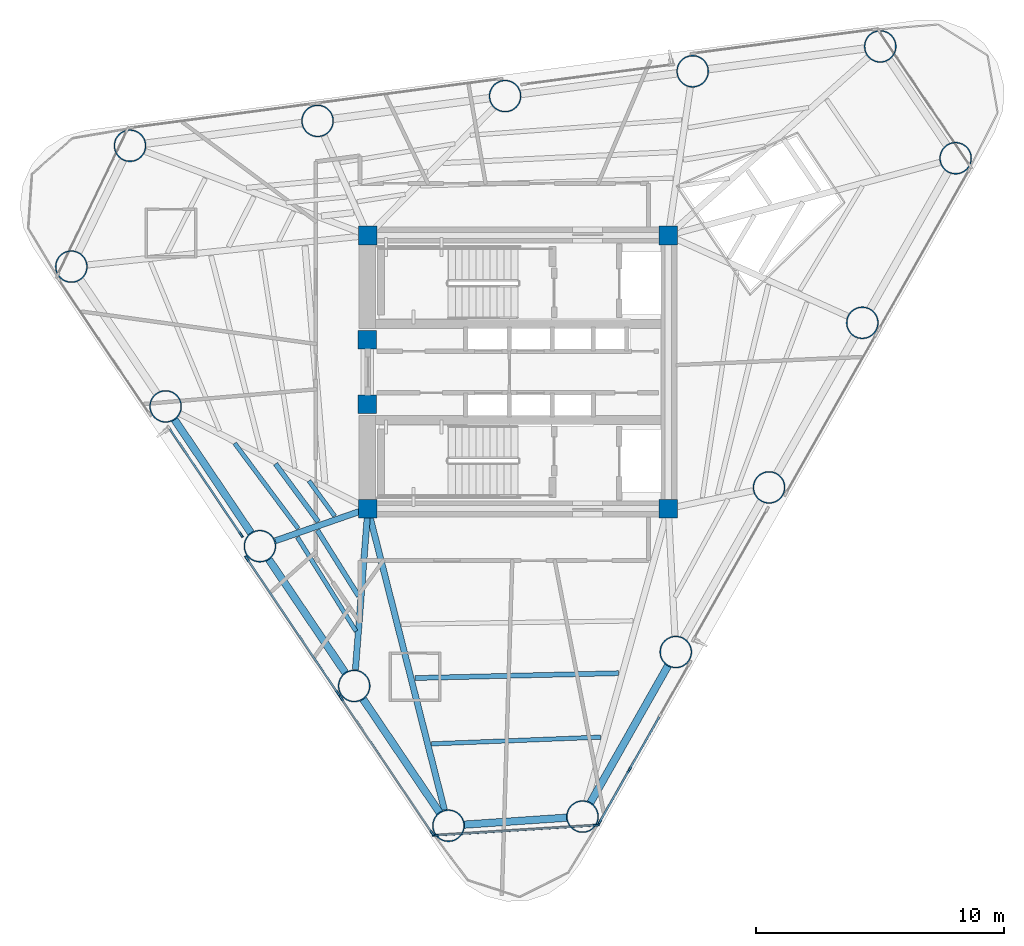
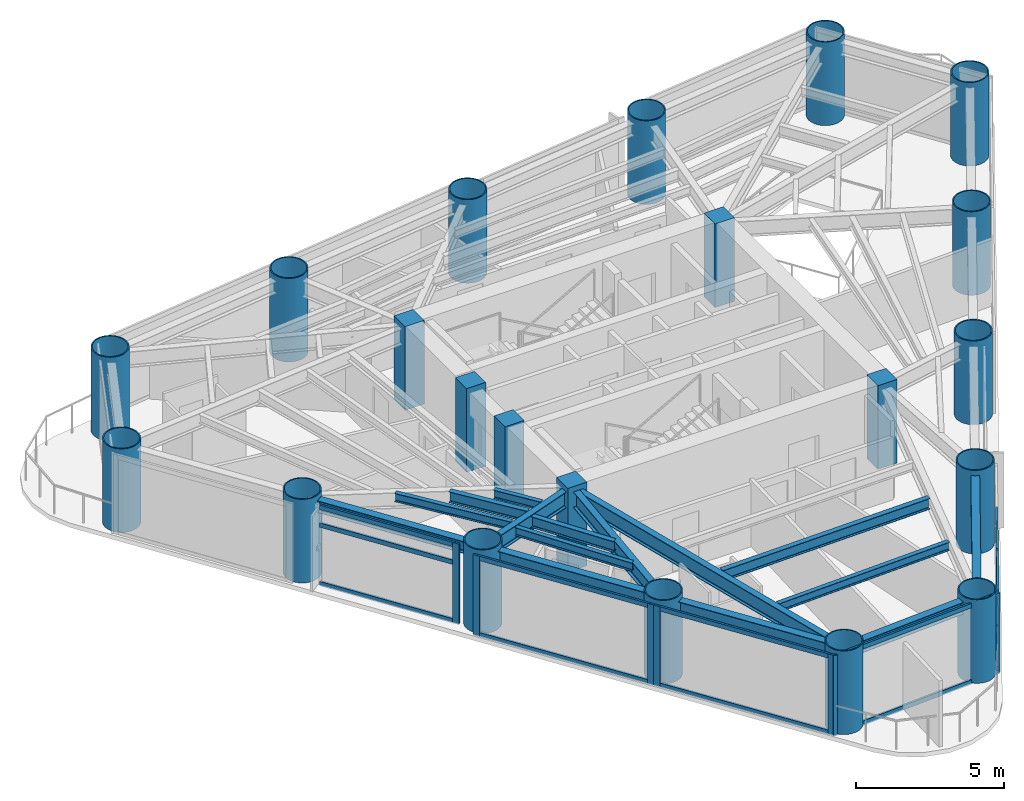
# One storey, part 1 of 10: 24 members, 21 columns, 15 beams, 5 elements without a shape of their own.
"""IFC4 building model written with IfcOpenShell, lengths in metres."""

from ifc_helpers import new_model, si_unit, direction, frame, origin, origin_2d, place, context, subcontext, project, spatial, rectangle, hollow_circle, i_section, extrude, source, transform, mapped, material, layer, layer_set, material_profile, profile_set, type_object, element, aggregate, save


model = new_model("IFC4")

# Units and contexts
model_context = context("Model", 3, precision=1e-05, world=origin(), true_north=direction((0.0, 1.0)))
body_context = subcontext(model_context, "Body", "Model", "MODEL_VIEW")
ifc_project = project(units=[si_unit("LENGTHUNIT", "METRE"), si_unit("AREAUNIT", "SQUARE_METRE"), si_unit("VOLUMEUNIT", "CUBIC_METRE"), si_unit("PLANEANGLEUNIT", "RADIAN"), si_unit("MASSUNIT", "GRAM", prefix="KILO")], contexts=[model_context])

# Site, building, storey
site_placement = place(None, origin())
site = spatial("IfcSite", under=ifc_project, at=site_placement, CompositionType="ELEMENT")
building_placement = place(site_placement, origin())
building = spatial("IfcBuilding", under=site, at=building_placement, Name="Yunling Apex Tower", CompositionType="ELEMENT")
storey_placement = place(building_placement, frame((0.0, 0.0, 182.89990234375)))
storey = spatial("IfcBuildingStorey", under=building, at=storey_placement, Name="L45", CompositionType="ELEMENT", Elevation=182.89990234375)

# Columns
ifc_material_1 = material(Name="Concrete C50", Category="concrete")
ifc_material_profile_1 = material_profile(ifc_material_1, rectangle(XDim=0.75, YDim=0.75, at=origin_2d()))
ifc_profile_set_1 = profile_set([ifc_material_profile_1], Name="Concrete C50")
column_type_1 = type_object("IfcColumnType", Name="PC-SRC-4", PredefinedType="COLUMN", material=ifc_profile_set_1)
shared_shape_1 = source(origin(), body_context, "Body", "SweptSolid", [
    extrude(rectangle(XDim=0.75, YDim=0.75, at=origin_2d()), origin(), (0.0, 0.0, 1.0), 3.4501953125),
])
for number, where, z_axis, x_axis, name in (
    (1, (-6.050048828125, -5.5, 0.0), (0.0, 0.0, 1.0), (1.0, 0.0, 0.0), "L45 Core Spine Column CC-SW"),
    (2, (6.050048828125, -5.5, 0.0), (0.0, 0.0, 1.0), (1.0, 0.0, 0.0), "L45 Core Spine Column CC-SE"),
    (3, (6.050048828125, 5.5, 0.0), (0.0, 0.0, 1.0), (1.0, 0.0, 0.0), "L45 Core Spine Column CC-NE"),
    (4, (-6.050048828125, 5.5, 0.0), (0.0, 0.0, 1.0), (1.0, 0.0, 0.0), "L45 Core Spine Column CC-NW"),
    (5, (-6.074951171875, -1.300048828125, 0.0), (0.0, 0.0, 1.0), (1.0, 0.0, 0.0), "L45 Core West Portal Jamb Column S"),
    (6, (-6.074951171875, 1.300048828125, 0.0), (0.0, 0.0, 1.0), (1.0, 0.0, 0.0), "L45 Core West Portal Jamb Column N"),
):
    element("IfcColumn", number, at=place(storey_placement, frame(where, z_axis=z_axis, x_axis=x_axis)), inside=storey, type_object=column_type_1, Name=name, PredefinedType="COLUMN", context=body_context, shape_type="MappedRepresentation", body=[
        mapped(shared_shape_1, transform((0.0, 0.0, 0.0), scale=1.0)),
    ])
ifc_material_2 = material(Name="Steel Q390GJC", Category="steel")
ifc_material_profile_2 = material_profile(ifc_material_2, hollow_circle(Radius=0.64990234375, WallThickness=0.044921875, at=origin_2d()))
ifc_profile_set_2 = profile_set([ifc_material_profile_2], Name="Steel Q390GJC")
column_type_2 = type_object("IfcColumnType", Name="MC-CFST-3", PredefinedType="COLUMN", material=ifc_profile_set_2)
shared_shape_2 = source(origin(), body_context, "Body", "SweptSolid", [
    extrude(hollow_circle(Radius=0.64990234375, WallThickness=0.044921875, at=origin_2d()), origin(), (0.0, 0.0, 1.0), 3.4501953125),
])
for number, where, z_axis, x_axis, name in (
    (7, (2.5947265625, -17.907958984375, 0.0), (0.0, 0.0, 1.0), (1.0, 0.0, 0.0), "L45 Perimeter CFST Mega-Column P01"),
    (8, (6.351806640625, -11.27783203125, 0.0), (0.0, 0.0, 1.0), (1.0, 0.0, 0.0), "L45 Perimeter CFST Mega-Column P02"),
    (9, (10.109130859375, -4.64794921875, 0.0), (0.0, 0.0, 1.0), (1.0, 0.0, 0.0), "L45 Perimeter CFST Mega-Column P03"),
    (10, (13.8662109375, 1.982177734375, 0.0), (0.0, 0.0, 1.0), (1.0, 0.0, 0.0), "L45 Perimeter CFST Mega-Column P04"),
    (11, (17.62353515625, 8.612060546875, 0.0), (0.0, 0.0, 1.0), (1.0, 0.0, 0.0), "L45 Perimeter CFST Mega-Column P05"),
    (12, (14.5869140625, 13.114013671875, 0.0), (0.0, 0.0, 1.0), (1.0, 0.0, 0.0), "L45 Perimeter CFST Mega-Column P06"),
    (13, (7.0322265625, 12.114013671875, 0.0), (0.0, 0.0, 1.0), (1.0, 0.0, 0.0), "L45 Perimeter CFST Mega-Column P07"),
    (14, (-0.5224609375, 11.114013671875, 0.0), (0.0, 0.0, 1.0), (1.0, 0.0, 0.0), "L45 Perimeter CFST Mega-Column P08"),
    (15, (-8.0771484375, 10.1142578125, 0.0), (0.0, 0.0, 1.0), (1.0, 0.0, 0.0), "L45 Perimeter CFST Mega-Column P09"),
    (16, (-15.6318359375, 9.1142578125, 0.0), (0.0, 0.0, 1.0), (1.0, 0.0, 0.0), "L45 Perimeter CFST Mega-Column P10"),
    (17, (-17.9951171875, 4.2451171875, 0.0), (0.0, 0.0, 1.0), (1.0, 0.0, 0.0), "L45 Perimeter CFST Mega-Column P11"),
    (18, (-14.197509765625, -1.384765625, 0.0), (0.0, 0.0, 1.0), (1.0, 0.0, 0.0), "L45 Perimeter CFST Mega-Column P12"),
    (19, (-10.39990234375, -7.014892578125, 0.0), (0.0, 0.0, 1.0), (1.0, 0.0, 0.0), "L45 Perimeter CFST Mega-Column P13"),
    (20, (-6.6025390625, -12.64501953125, 0.0), (0.0, 0.0, 1.0), (1.0, 0.0, 0.0), "L45 Perimeter CFST Mega-Column P14"),
    (21, (-2.804931640625, -18.27490234375, 0.0), (0.0, 0.0, 1.0), (1.0, 0.0, 0.0), "L45 Perimeter CFST Mega-Column P15"),
):
    element("IfcColumn", number, at=place(storey_placement, frame(where, z_axis=z_axis, x_axis=x_axis)), inside=storey, type_object=column_type_2, Name=name, PredefinedType="COLUMN", context=body_context, shape_type="MappedRepresentation", body=[
        mapped(shared_shape_2, transform((0.0, 0.0, 0.0), scale=1.0)),
    ])

# Beams
ifc_material_3 = material(Name="Steel Q355B", Category="steel")
ifc_material_profile_3 = material_profile(ifc_material_3, i_section(OverallWidth=0.300048828125, OverallDepth=0.489990234375, WebThickness=0.010986328125, FlangeThickness=0.01806640625, FilletRadius=0.02197265625, at=origin_2d()))
ifc_profile_set_3 = profile_set([ifc_material_profile_3], Name="Steel Q355B")
beam_type_1 = type_object("IfcBeamType", Name="BP-SPN-2", PredefinedType="SPANDREL", material=ifc_profile_set_3)
shared_shape_3 = source(origin(), body_context, "Body", "SweptSolid", [
    extrude(i_section(OverallWidth=0.300048828125, OverallDepth=0.489990234375, WebThickness=0.010986328125, FlangeThickness=0.01806640625, FilletRadius=0.02197265625, at=origin_2d()), origin(), (0.0, 0.0, 1.0), 6.332763671875),
])
beam_1_placement = place(storey_placement, frame((2.912109375, -17.34765625, 2.985107421875), z_axis=(0.493042725972, 0.870005097897, 0.0), x_axis=(-0.870005097897, 0.493042725972, 0.0)))
element("IfcBeam", 22, at=beam_1_placement, inside=storey, type_object=beam_type_1, Name="L45 Perimeter Spandrel Beam 1", PredefinedType="SPANDREL", context=body_context, shape_type="MappedRepresentation", body=[
    mapped(shared_shape_3, transform((0.0, 0.0, 0.0), scale=1.0)),
])
shared_shape_4 = source(origin(), body_context, "Body", "SweptSolid", [
    extrude(i_section(OverallWidth=0.300048828125, OverallDepth=0.489990234375, WebThickness=0.010986328125, FlangeThickness=0.01806640625, FilletRadius=0.02197265625, at=origin_2d()), origin(), (0.0, 0.0, 1.0), 5.5029296875),
])
beam_2_placement = place(storey_placement, frame((-10.039794921875, -7.548828125, 2.985107421875), z_axis=(0.559176417619, -0.829048692164, 0.0), x_axis=(0.829048692164, 0.559176417619, 0.0)))
element("IfcBeam", 23, at=beam_2_placement, inside=storey, type_object=beam_type_1, Name="L45 Perimeter Spandrel Beam 13", PredefinedType="SPANDREL", context=body_context, shape_type="MappedRepresentation", body=[
    mapped(shared_shape_4, transform((0.0, 0.0, 0.0), scale=1.0)),
])
shared_shape_5 = source(origin(), body_context, "Body", "SweptSolid", [
    extrude(i_section(OverallWidth=0.300048828125, OverallDepth=0.489990234375, WebThickness=0.010986328125, FlangeThickness=0.01806640625, FilletRadius=0.02197265625, at=origin_2d()), origin(), (0.0, 0.0, 1.0), 5.503173828125),
])
beam_3_placement = place(storey_placement, frame((-13.83740234375, -1.918701171875, 2.985107421875), z_axis=(0.55920690951, -0.82902812519, 0.0), x_axis=(0.82902812519, 0.55920690951, 0.0)))
element("IfcBeam", 24, at=beam_3_placement, inside=storey, type_object=beam_type_1, Name="L45 Perimeter Spandrel Beam 12", PredefinedType="SPANDREL", context=body_context, shape_type="MappedRepresentation", body=[
    mapped(shared_shape_5, transform((0.0, 0.0, 0.0), scale=1.0)),
])
shared_shape_6 = source(origin(), body_context, "Body", "SweptSolid", [
    extrude(i_section(OverallWidth=0.300048828125, OverallDepth=0.489990234375, WebThickness=0.010986328125, FlangeThickness=0.01806640625, FilletRadius=0.02197265625, at=origin_2d()), origin(), (0.0, 0.0, 1.0), 5.50341796875),
])
beam_4_placement = place(storey_placement, frame((-6.242431640625, -13.1787109375, 2.985107421875), z_axis=(0.55918634307, -0.829041997564, 0.0), x_axis=(0.829041997564, 0.55918634307, 0.0)))
element("IfcBeam", 25, at=beam_4_placement, inside=storey, type_object=beam_type_1, Name="L45 Perimeter Spandrel Beam 14", PredefinedType="SPANDREL", context=body_context, shape_type="MappedRepresentation", body=[
    mapped(shared_shape_6, transform((0.0, 0.0, 0.0), scale=1.0)),
])
shared_shape_7 = source(origin(), body_context, "Body", "SweptSolid", [
    extrude(i_section(OverallWidth=0.300048828125, OverallDepth=0.489990234375, WebThickness=0.010986328125, FlangeThickness=0.01806640625, FilletRadius=0.02197265625, at=origin_2d()), origin(), (0.0, 0.0, 1.0), 4.124267578125),
])
beam_5_placement = place(storey_placement, frame((-2.16259765625, -18.231201171875, 2.985107421875), z_axis=(0.997700280582, 0.067780160274, 0.0), x_axis=(-0.067780160274, 0.997700280582, 0.0)))
element("IfcBeam", 26, at=beam_5_placement, inside=storey, type_object=beam_type_1, Name="L45 Perimeter Spandrel Beam 15", PredefinedType="SPANDREL", context=body_context, shape_type="MappedRepresentation", body=[
    mapped(shared_shape_7, transform((0.0, 0.0, 0.0), scale=1.0)),
])
ifc_material_profile_4 = material_profile(ifc_material_3, i_section(OverallWidth=0.25, OverallDepth=0.64990234375, WebThickness=0.011962890625, FlangeThickness=0.02001953125, FilletRadius=0.02392578125, at=origin_2d()))
ifc_profile_set_4 = profile_set([ifc_material_profile_4], Name="Steel Q355B")
beam_type_2 = type_object("IfcBeamType", Name="BG-PRI-4", PredefinedType="USERDEFINED", material=ifc_profile_set_4)
shared_shape_8 = source(origin(), body_context, "Body", "SweptSolid", [
    extrude(i_section(OverallWidth=0.25, OverallDepth=0.64990234375, WebThickness=0.011962890625, FlangeThickness=0.02001953125, FilletRadius=0.02392578125, at=origin_2d()), origin(), (0.0, 0.0, 1.0), 3.8681640625),
])
beam_6_placement = place(storey_placement, frame((-9.778564453125, -6.798583984375, 2.905029296875), z_axis=(0.944369860351, 0.328885339991, 0.0), x_axis=(-0.328885339991, 0.944369860351, 0.0)))
element("IfcBeam", 27, at=beam_6_placement, inside=storey, type_object=beam_type_2, Name="L45 Radial Primary Girder R13", ObjectType="GIRDER", PredefinedType="USERDEFINED", context=body_context, shape_type="MappedRepresentation", body=[
    mapped(shared_shape_8, transform((0.0, 0.0, 0.0), scale=1.0)),
])
shared_shape_9 = source(origin(), body_context, "Body", "SweptSolid", [
    extrude(i_section(OverallWidth=0.25, OverallDepth=0.64990234375, WebThickness=0.011962890625, FlangeThickness=0.02001953125, FilletRadius=0.02392578125, at=origin_2d()), origin(), (0.0, 0.0, 1.0), 6.42822265625),
])
beam_7_placement = place(storey_placement, frame((-6.5517578125, -11.989013671875, 2.905029296875), z_axis=(0.077097282386, 0.997023574971, 0.0), x_axis=(-0.997023574971, 0.077097282386, 0.0)))
element("IfcBeam", 28, at=beam_7_placement, inside=storey, type_object=beam_type_2, Name="L45 Radial Primary Girder R14", ObjectType="GIRDER", PredefinedType="USERDEFINED", context=body_context, shape_type="MappedRepresentation", body=[
    mapped(shared_shape_9, transform((0.0, 0.0, 0.0), scale=1.0)),
])
shared_shape_10 = source(origin(), body_context, "Body", "SweptSolid", [
    extrude(i_section(OverallWidth=0.25, OverallDepth=0.64990234375, WebThickness=0.011962890625, FlangeThickness=0.02001953125, FilletRadius=0.02392578125, at=origin_2d()), origin(), (0.0, 0.0, 1.0), 12.44287109375),
])
beam_8_placement = place(storey_placement, frame((-2.967041015625, -17.63720703125, 2.905029296875), z_axis=(-0.246185736667, 0.969222669494, 0.0), x_axis=(-0.969222669494, -0.246185736667, 0.0)))
element("IfcBeam", 29, at=beam_8_placement, inside=storey, type_object=beam_type_2, Name="L45 Radial Primary Girder R15", ObjectType="GIRDER", PredefinedType="USERDEFINED", context=body_context, shape_type="MappedRepresentation", body=[
    mapped(shared_shape_10, transform((0.0, 0.0, 0.0), scale=1.0)),
])
ifc_material_profile_5 = material_profile(ifc_material_3, i_section(OverallWidth=0.199951171875, OverallDepth=0.449951171875, WebThickness=0.009033203125, FlangeThickness=0.013916015625, FilletRadius=0.01806640625, at=origin_2d()))
ifc_profile_set_5 = profile_set([ifc_material_profile_5], Name="Steel Q355B")
beam_type_3 = type_object("IfcBeamType", Name="BS-SEC-3", PredefinedType="BEAM", material=ifc_profile_set_5)
shared_shape_11 = source(origin(), body_context, "Body", "SweptSolid", [
    extrude(i_section(OverallWidth=0.199951171875, OverallDepth=0.449951171875, WebThickness=0.009033203125, FlangeThickness=0.013916015625, FilletRadius=0.01806640625, at=origin_2d()), origin(), (0.0, 0.0, 1.0), 2.900146484375),
])
beam_9_placement = place(storey_placement, frame((-9.770751953125, -3.701416015625, 3.005126953125), z_axis=(0.594341352087, -0.804212880523, 0.0), x_axis=(0.804212880523, 0.594341352087, 0.0)))
element("IfcBeam", 30, at=beam_9_placement, inside=storey, type_object=beam_type_3, Name="L45 Composite Floor Beam BS-12", PredefinedType="BEAM", context=body_context, shape_type="MappedRepresentation", body=[
    mapped(shared_shape_11, transform((0.0, 0.0, 0.0), scale=1.0)),
])
ifc_material_profile_6 = material_profile(ifc_material_3, i_section(OverallWidth=0.175048828125, OverallDepth=0.35009765625, WebThickness=0.007080078125, FlangeThickness=0.010986328125, FilletRadius=0.013916015625, at=origin_2d()))
ifc_profile_set_6 = profile_set([ifc_material_profile_6], Name="Steel Q355B")
beam_type_4 = type_object("IfcBeamType", Name="BJ-JST-1", PredefinedType="JOIST", material=ifc_profile_set_6)
shared_shape_12 = source(origin(), body_context, "Body", "SweptSolid", [
    extrude(i_section(OverallWidth=0.175048828125, OverallDepth=0.35009765625, WebThickness=0.007080078125, FlangeThickness=0.010986328125, FilletRadius=0.013916015625, at=origin_2d()), origin(), (0.0, 0.0, 1.0), 4.2958984375),
])
beam_10_placement = place(storey_placement, frame((-11.417724609375, -2.868896484375, 3.05517578125), z_axis=(0.597405367493, -0.801939415972, 0.0), x_axis=(0.801939415972, 0.597405367493, 0.0)))
element("IfcBeam", 31, at=beam_10_placement, inside=storey, type_object=beam_type_4, Name="L45 Composite Floor Joist BJ1-12", PredefinedType="JOIST", context=body_context, shape_type="MappedRepresentation", body=[
    mapped(shared_shape_12, transform((0.0, 0.0, 0.0), scale=1.0)),
])
shared_shape_13 = source(origin(), body_context, "Body", "SweptSolid", [
    extrude(i_section(OverallWidth=0.175048828125, OverallDepth=0.35009765625, WebThickness=0.007080078125, FlangeThickness=0.010986328125, FilletRadius=0.013916015625, at=origin_2d()), origin(), (0.0, 0.0, 1.0), 1.75830078125),
])
beam_11_placement = place(storey_placement, frame((-8.423583984375, -4.3828125, 3.05517578125), z_axis=(0.58860919459, -0.808417723732, 0.0), x_axis=(0.808417723732, 0.58860919459, 0.0)))
element("IfcBeam", 32, at=beam_11_placement, inside=storey, type_object=beam_type_4, Name="L45 Composite Floor Joist BJ3-12", PredefinedType="JOIST", context=body_context, shape_type="MappedRepresentation", body=[
    mapped(shared_shape_13, transform((0.0, 0.0, 0.0), scale=1.0)),
])
shared_shape_14 = source(origin(), body_context, "Body", "SweptSolid", [
    extrude(i_section(OverallWidth=0.199951171875, OverallDepth=0.449951171875, WebThickness=0.009033203125, FlangeThickness=0.013916015625, FilletRadius=0.01806640625, at=origin_2d()), origin(), (0.0, 0.0, 1.0), 3.138427734375),
])
beam_12_placement = place(storey_placement, frame((-8.086181640625, -6.374267578125, 3.005126953125), z_axis=(0.531291876234, -0.847188846862, 0.0), x_axis=(0.847188846862, 0.531291876234, 0.0)))
element("IfcBeam", 33, at=beam_12_placement, inside=storey, type_object=beam_type_3, Name="L45 Composite Floor Beam BS-13", PredefinedType="BEAM", context=body_context, shape_type="MappedRepresentation", body=[
    mapped(shared_shape_14, transform((0.0, 0.0, 0.0), scale=1.0)),
])
shared_shape_15 = source(origin(), body_context, "Body", "SweptSolid", [
    extrude(i_section(OverallWidth=0.175048828125, OverallDepth=0.35009765625, WebThickness=0.007080078125, FlangeThickness=0.010986328125, FilletRadius=0.013916015625, at=origin_2d()), origin(), (0.0, 0.0, 1.0), 4.46533203125),
])
beam_13_placement = place(storey_placement, frame((-8.890380859375, -6.654296875, 3.05517578125), z_axis=(0.529197625192, -0.848498599581, 0.0), x_axis=(0.848498599581, 0.529197625192, 0.0)))
element("IfcBeam", 34, at=beam_13_placement, inside=storey, type_object=beam_type_4, Name="L45 Composite Floor Joist BJ1-13", PredefinedType="JOIST", context=body_context, shape_type="MappedRepresentation", body=[
    mapped(shared_shape_15, transform((0.0, 0.0, 0.0), scale=1.0)),
])
shared_shape_16 = source(origin(), body_context, "Body", "SweptSolid", [
    extrude(i_section(OverallWidth=0.199951171875, OverallDepth=0.449951171875, WebThickness=0.009033203125, FlangeThickness=0.013916015625, FilletRadius=0.01806640625, at=origin_2d()), origin(), (0.0, 0.0, 1.0), 8.20166015625),
])
beam_14_placement = place(storey_placement, frame((-4.15478515625, -12.3271484375, 3.005126953125), z_axis=(0.999714273785, 0.023903363562, 0.0), x_axis=(-0.023903363562, 0.999714273785, 0.0)))
element("IfcBeam", 35, at=beam_14_placement, inside=storey, type_object=beam_type_3, Name="L45 Composite Floor Beam BS-15", PredefinedType="BEAM", context=body_context, shape_type="MappedRepresentation", body=[
    mapped(shared_shape_16, transform((0.0, 0.0, 0.0), scale=1.0)),
])
shared_shape_17 = source(origin(), body_context, "Body", "SweptSolid", [
    extrude(i_section(OverallWidth=0.175048828125, OverallDepth=0.35009765625, WebThickness=0.007080078125, FlangeThickness=0.010986328125, FilletRadius=0.013916015625, at=origin_2d()), origin(), (0.0, 0.0, 1.0), 6.814453125),
])
beam_15_placement = place(storey_placement, frame((-3.481201171875, -14.977783203125, 3.05517578125), z_axis=(0.999210374008, 0.039731957862, 0.0), x_axis=(-0.039731957862, 0.999210374008, 0.0)))
element("IfcBeam", 36, at=beam_15_placement, inside=storey, type_object=beam_type_4, Name="L45 Composite Floor Joist BJ1-15", PredefinedType="JOIST", context=body_context, shape_type="MappedRepresentation", body=[
    mapped(shared_shape_17, transform((0.0, 0.0, 0.0), scale=1.0)),
])

# Curtain wall, members
ifc_material_4 = material(Name="Bronze anodised aluminium", Category="aluminium")
ifc_layer = layer(ifc_material_4, 0.239990234375)
ifc_layer_set = layer_set([ifc_layer], Name="Bronze anodised aluminium")
curtain_wall_type = type_object("IfcCurtainWallType", Name="CW-SYS-3", PredefinedType="NOTDEFINED", material=ifc_layer_set)
curtain_wall_1_placement = place(storey_placement, origin())
curtain_wall_1 = element("IfcCurtainWall", 37, at=curtain_wall_1_placement, inside=storey, type_object=curtain_wall_type, Name="CW-L45-F1-B1", PredefinedType="NOTDEFINED")
ifc_material_profile_7 = material_profile(ifc_material_4, rectangle(XDim=0.080078125, YDim=0.18505859375, at=origin_2d()))
ifc_profile_set_7 = profile_set([ifc_material_profile_7], Name="Bronze anodised aluminium")
member_type_1 = type_object("IfcMemberType", Name="CW-TRN-3", PredefinedType="USERDEFINED", material=ifc_profile_set_7)
shared_shape_18 = source(origin(), body_context, "Body", "SweptSolid", [
    extrude(rectangle(XDim=0.080078125, YDim=0.18505859375, at=origin_2d()), origin(), (0.0, 0.0, 1.0), 2.374755859375),
])
member_1_placement = place(storey_placement, frame((3.289306640625, -18.122314453125, 0.0400390625), z_axis=(0.493035916127, 0.870008957085, 0.0), x_axis=(-0.870008957085, 0.493035916127, 0.0)))
member_1 = element("IfcMember", 38, at=member_1_placement, type_object=member_type_1, Name="CW-SYS-3 transom 1.1", ObjectType="TRANSOM", PredefinedType="USERDEFINED", context=body_context, shape_type="MappedRepresentation", body=[
    mapped(shared_shape_18, transform((0.0, 0.0, 0.0), scale=1.0)),
])
member_2_placement = place(storey_placement, frame((3.289306640625, -18.122314453125, 2.454833984375), z_axis=(0.493035916127, 0.870008957085, 0.0), x_axis=(-0.870008957085, 0.493035916127, 0.0)))
member_2 = element("IfcMember", 39, at=member_2_placement, type_object=member_type_1, Name="CW-SYS-3 transom 1.2", ObjectType="TRANSOM", PredefinedType="USERDEFINED", context=body_context, shape_type="MappedRepresentation", body=[
    mapped(shared_shape_18, transform((0.0, 0.0, 0.0), scale=1.0)),
])
member_3_placement = place(storey_placement, frame((3.289306640625, -18.122314453125, 3.190185546875), z_axis=(0.493035916127, 0.870008957085, 0.0), x_axis=(-0.870008957085, 0.493035916127, 0.0)))
member_3 = element("IfcMember", 40, at=member_3_placement, type_object=member_type_1, Name="CW-SYS-3 transom 1.3", ObjectType="TRANSOM", PredefinedType="USERDEFINED", context=body_context, shape_type="MappedRepresentation", body=[
    mapped(shared_shape_18, transform((0.0, 0.0, 0.0), scale=1.0)),
])
shared_shape_19 = source(origin(), body_context, "Body", "SweptSolid", [
    extrude(rectangle(XDim=0.080078125, YDim=0.18505859375, at=origin_2d()), origin(), (0.0, 0.0, 1.0), 2.414794921875),
])
member_4_placement = place(storey_placement, frame((4.49560546875, -15.993408203125, 0.0400390625), z_axis=(0.49307634424, 0.869986045147, 0.0), x_axis=(-0.869986045147, 0.49307634424, 0.0)))
member_4 = element("IfcMember", 41, at=member_4_placement, type_object=member_type_1, Name="CW-SYS-3 transom 2.1", ObjectType="TRANSOM", PredefinedType="USERDEFINED", context=body_context, shape_type="MappedRepresentation", body=[
    mapped(shared_shape_19, transform((0.0, 0.0, 0.0), scale=1.0)),
])
member_5_placement = place(storey_placement, frame((4.49560546875, -15.993408203125, 2.454833984375), z_axis=(0.49307634424, 0.869986045147, 0.0), x_axis=(-0.869986045147, 0.49307634424, 0.0)))
member_5 = element("IfcMember", 42, at=member_5_placement, type_object=member_type_1, Name="CW-SYS-3 transom 2.2", ObjectType="TRANSOM", PredefinedType="USERDEFINED", context=body_context, shape_type="MappedRepresentation", body=[
    mapped(shared_shape_19, transform((0.0, 0.0, 0.0), scale=1.0)),
])
member_6_placement = place(storey_placement, frame((4.49560546875, -15.993408203125, 3.190185546875), z_axis=(0.49307634424, 0.869986045147, 0.0), x_axis=(-0.869986045147, 0.49307634424, 0.0)))
member_6 = element("IfcMember", 43, at=member_6_placement, type_object=member_type_1, Name="CW-SYS-3 transom 2.3", ObjectType="TRANSOM", PredefinedType="USERDEFINED", context=body_context, shape_type="MappedRepresentation", body=[
    mapped(shared_shape_19, transform((0.0, 0.0, 0.0), scale=1.0)),
])

curtain_wall_2_placement = place(storey_placement, origin())
curtain_wall_2 = element("IfcCurtainWall", 44, at=curtain_wall_2_placement, inside=storey, type_object=curtain_wall_type, Name="CW-L45-CRN3", PredefinedType="NOTDEFINED")
shared_shape_20 = source(origin(), body_context, "Body", "SweptSolid", [
    extrude(rectangle(XDim=0.080078125, YDim=0.18505859375, at=origin_2d()), origin(), (0.0, 0.0, 1.0), 6.43310546875),
])
member_7_placement = place(storey_placement, frame((-3.30126953125, -18.656005859375, 0.0400390625), z_axis=(0.998035114575, 0.062657083206, 0.0), x_axis=(-0.062657083206, 0.998035114575, 0.0)))
member_7 = element("IfcMember", 45, at=member_7_placement, type_object=member_type_1, Name="CW-SYS-3 transom 1.1", ObjectType="TRANSOM", PredefinedType="USERDEFINED", context=body_context, shape_type="MappedRepresentation", body=[
    mapped(shared_shape_20, transform((0.0, 0.0, 0.0), scale=1.0)),
])
member_8_placement = place(storey_placement, frame((-3.30126953125, -18.656005859375, 3.190185546875), z_axis=(0.998035114575, 0.062657083206, 0.0), x_axis=(-0.062657083206, 0.998035114575, 0.0)))
member_8 = element("IfcMember", 46, at=member_8_placement, type_object=member_type_1, Name="CW-SYS-3 transom 1.2", ObjectType="TRANSOM", PredefinedType="USERDEFINED", context=body_context, shape_type="MappedRepresentation", body=[
    mapped(shared_shape_20, transform((0.0, 0.0, 0.0), scale=1.0)),
])

curtain_wall_3_placement = place(storey_placement, origin())
curtain_wall_3 = element("IfcCurtainWall", 47, at=curtain_wall_3_placement, inside=storey, type_object=curtain_wall_type, Name="CW-L45-F3-B4", PredefinedType="NOTDEFINED")
shared_shape_21 = source(origin(), body_context, "Body", "SweptSolid", [
    extrude(rectangle(XDim=0.080078125, YDim=0.18505859375, at=origin_2d()), origin(), (0.0, 0.0, 1.0), 6.479248046875),
])
member_9_placement = place(storey_placement, frame((-7.10400390625, -13.171142578125, 0.0400390625), z_axis=(0.559179012054, -0.829046942265, 0.0), x_axis=(0.829046942265, 0.559179012054, 0.0)))
member_9 = element("IfcMember", 48, at=member_9_placement, type_object=member_type_1, Name="CW-SYS-3 transom 1.1", ObjectType="TRANSOM", PredefinedType="USERDEFINED", context=body_context, shape_type="MappedRepresentation", body=[
    mapped(shared_shape_21, transform((0.0, 0.0, 0.0), scale=1.0)),
])
member_10_placement = place(storey_placement, frame((-7.10400390625, -13.171142578125, 3.190185546875), z_axis=(0.559179012054, -0.829046942265, 0.0), x_axis=(0.829046942265, 0.559179012054, 0.0)))
member_10 = element("IfcMember", 49, at=member_10_placement, type_object=member_type_1, Name="CW-SYS-3 transom 1.2", ObjectType="TRANSOM", PredefinedType="USERDEFINED", context=body_context, shape_type="MappedRepresentation", body=[
    mapped(shared_shape_21, transform((0.0, 0.0, 0.0), scale=1.0)),
])

curtain_wall_4_placement = place(storey_placement, origin())
curtain_wall_4 = element("IfcCurtainWall", 50, at=curtain_wall_4_placement, inside=storey, type_object=curtain_wall_type, Name="CW-L45-F3-B2", PredefinedType="NOTDEFINED")
shared_shape_22 = source(origin(), body_context, "Body", "SweptSolid", [
    extrude(rectangle(XDim=0.080078125, YDim=0.18505859375, at=origin_2d()), origin(), (0.0, 0.0, 1.0), 5.09912109375),
])
member_11_placement = place(storey_placement, frame((-14.03125, -2.293212890625, 0.0400390625), z_axis=(0.559222026941, -0.829017927782, 0.0), x_axis=(0.829017927782, 0.559222026941, 0.0)))
member_11 = element("IfcMember", 51, at=member_11_placement, type_object=member_type_1, Name="CW-SYS-3 transom 1.1", ObjectType="TRANSOM", PredefinedType="USERDEFINED", context=body_context, shape_type="MappedRepresentation", body=[
    mapped(shared_shape_22, transform((0.0, 0.0, 0.0), scale=1.0)),
])
member_12_placement = place(storey_placement, frame((-14.03125, -2.293212890625, 2.454833984375), z_axis=(0.559222026941, -0.829017927782, 0.0), x_axis=(0.829017927782, 0.559222026941, 0.0)))
member_12 = element("IfcMember", 52, at=member_12_placement, type_object=member_type_1, Name="CW-SYS-3 transom 1.2", ObjectType="TRANSOM", PredefinedType="USERDEFINED", context=body_context, shape_type="MappedRepresentation", body=[
    mapped(shared_shape_22, transform((0.0, 0.0, 0.0), scale=1.0)),
])
member_13_placement = place(storey_placement, frame((-14.03125, -2.293212890625, 3.190185546875), z_axis=(0.559222026941, -0.829017927782, 0.0), x_axis=(0.829017927782, 0.559222026941, 0.0)))
member_13 = element("IfcMember", 53, at=member_13_placement, type_object=member_type_1, Name="CW-SYS-3 transom 1.3", ObjectType="TRANSOM", PredefinedType="USERDEFINED", context=body_context, shape_type="MappedRepresentation", body=[
    mapped(shared_shape_22, transform((0.0, 0.0, 0.0), scale=1.0)),
])

curtain_wall_5_placement = place(storey_placement, origin())
curtain_wall_5 = element("IfcCurtainWall", 54, at=curtain_wall_5_placement, inside=storey, type_object=curtain_wall_type, Name="CW-L45-F3-B3", PredefinedType="NOTDEFINED")
shared_shape_23 = source(origin(), body_context, "Body", "SweptSolid", [
    extrude(rectangle(XDim=0.080078125, YDim=0.18505859375, at=origin_2d()), origin(), (0.0, 0.0, 1.0), 6.47900390625),
])
member_14_placement = place(storey_placement, frame((-10.9013671875, -7.541259765625, 0.0400390625), z_axis=(0.559196480627, -0.829035159722, 0.0), x_axis=(0.829035159722, 0.559196480627, 0.0)))
member_14 = element("IfcMember", 55, at=member_14_placement, type_object=member_type_1, Name="CW-SYS-3 transom 1.1", ObjectType="TRANSOM", PredefinedType="USERDEFINED", context=body_context, shape_type="MappedRepresentation", body=[
    mapped(shared_shape_23, transform((0.0, 0.0, 0.0), scale=1.0)),
])
member_15_placement = place(storey_placement, frame((-10.9013671875, -7.541259765625, 3.190185546875), z_axis=(0.559196480627, -0.829035159722, 0.0), x_axis=(0.829035159722, 0.559196480627, 0.0)))
member_15 = element("IfcMember", 56, at=member_15_placement, type_object=member_type_1, Name="CW-SYS-3 transom 1.2", ObjectType="TRANSOM", PredefinedType="USERDEFINED", context=body_context, shape_type="MappedRepresentation", body=[
    mapped(shared_shape_23, transform((0.0, 0.0, 0.0), scale=1.0)),
])

# Member
ifc_material_profile_8 = material_profile(ifc_material_4, rectangle(XDim=0.080078125, YDim=0.239990234375, at=origin_2d()))
ifc_profile_set_8 = profile_set([ifc_material_profile_8], Name="Bronze anodised aluminium")
member_type_2 = type_object("IfcMemberType", Name="CW-MUL-3", PredefinedType="MULLION", material=ifc_profile_set_8)
shared_shape_24 = source(origin(), body_context, "Body", "SweptSolid", [
    extrude(rectangle(XDim=0.080078125, YDim=0.239990234375, at=origin_2d()), origin(), (0.0, 0.0, 1.0), 3.329833984375),
])
member_16_placement = place(storey_placement, frame((3.271484375, -18.153564453125, -0.0498046875), z_axis=(0.0, 0.0, 1.0), x_axis=(-0.870006087438, 0.493040979859, 0.0)))
member_16 = element("IfcMember", 57, at=member_16_placement, type_object=member_type_2, Name="CW-SYS-3 mullion 1", PredefinedType="MULLION", context=body_context, shape_type="MappedRepresentation", body=[
    mapped(shared_shape_24, transform((0.0, 0.0, 0.0), scale=1.0)),
])

member_17_placement = place(storey_placement, frame((4.47802734375, -16.02490234375, -0.0498046875), z_axis=(0.0, 0.0, 1.0), x_axis=(-0.870006087438, 0.493040979859, 0.0)))
member_17 = element("IfcMember", 58, at=member_17_placement, type_object=member_type_2, Name="CW-SYS-3 mullion 2", PredefinedType="MULLION", context=body_context, shape_type="MappedRepresentation", body=[
    mapped(shared_shape_24, transform((0.0, 0.0, 0.0), scale=1.0)),
])

aggregate(curtain_wall_1, [member_16, member_17, member_1, member_2, member_3, member_4, member_5, member_6])

member_18_placement = place(storey_placement, frame((-11.15966796875, -6.55029296875, -0.0498046875), z_axis=(0.0, 0.0, 1.0), x_axis=(0.829026137089, 0.559209856873, 0.0)))
member_18 = element("IfcMember", 59, at=member_18_placement, type_object=member_type_2, Name="CW-SYS-3 mullion 2", PredefinedType="MULLION", context=body_context, shape_type="MappedRepresentation", body=[
    mapped(shared_shape_24, transform((0.0, 0.0, 0.0), scale=1.0)),
])

aggregate(curtain_wall_4, [member_18, member_11, member_12, member_13])

member_19_placement = place(storey_placement, frame((-10.921630859375, -7.511474609375, -0.0498046875), z_axis=(0.0, 0.0, 1.0), x_axis=(0.829040587205, 0.559188434042, 0.0)))
member_19 = element("IfcMember", 60, at=member_19_placement, type_object=member_type_2, Name="CW-SYS-3 mullion 1", PredefinedType="MULLION", context=body_context, shape_type="MappedRepresentation", body=[
    mapped(shared_shape_24, transform((0.0, 0.0, 0.0), scale=1.0)),
])

member_20_placement = place(storey_placement, frame((-7.25830078125, -12.9423828125, -0.0498046875), z_axis=(0.0, 0.0, 1.0), x_axis=(0.829040587205, 0.559188434042, 0.0)))
member_20 = element("IfcMember", 61, at=member_20_placement, type_object=member_type_2, Name="CW-SYS-3 mullion 2", PredefinedType="MULLION", context=body_context, shape_type="MappedRepresentation", body=[
    mapped(shared_shape_24, transform((0.0, 0.0, 0.0), scale=1.0)),
])

aggregate(curtain_wall_5, [member_19, member_20, member_14, member_15])

member_21_placement = place(storey_placement, frame((-7.1240234375, -13.141357421875, -0.0498046875), z_axis=(0.0, 0.0, 1.0), x_axis=(0.829045302692, 0.559181442901, 0.0)))
member_21 = element("IfcMember", 62, at=member_21_placement, type_object=member_type_2, Name="CW-SYS-3 mullion 1", PredefinedType="MULLION", context=body_context, shape_type="MappedRepresentation", body=[
    mapped(shared_shape_24, transform((0.0, 0.0, 0.0), scale=1.0)),
])

member_22_placement = place(storey_placement, frame((-3.460693359375, -18.572509765625, -0.0498046875), z_axis=(0.0, 0.0, 1.0), x_axis=(0.829045302692, 0.559181442901, 0.0)))
member_22 = element("IfcMember", 63, at=member_22_placement, type_object=member_type_2, Name="CW-SYS-3 mullion 2", PredefinedType="MULLION", context=body_context, shape_type="MappedRepresentation", body=[
    mapped(shared_shape_24, transform((0.0, 0.0, 0.0), scale=1.0)),
])

aggregate(curtain_wall_3, [member_21, member_22, member_9, member_10])

member_23_placement = place(storey_placement, frame((-3.337158203125, -18.658203125, -0.0498046875), z_axis=(0.0, 0.0, 1.0), x_axis=(-0.062672311308, 0.998034158431, 0.0)))
member_23 = element("IfcMember", 64, at=member_23_placement, type_object=member_type_2, Name="CW-SYS-3 mullion 1", PredefinedType="MULLION", context=body_context, shape_type="MappedRepresentation", body=[
    mapped(shared_shape_24, transform((0.0, 0.0, 0.0), scale=1.0)),
])

member_24_placement = place(storey_placement, frame((3.155029296875, -18.25048828125, -0.0498046875), z_axis=(0.0, 0.0, 1.0), x_axis=(-0.062672311308, 0.998034158431, 0.0)))
member_24 = element("IfcMember", 65, at=member_24_placement, type_object=member_type_2, Name="CW-SYS-3 mullion 2", PredefinedType="MULLION", context=body_context, shape_type="MappedRepresentation", body=[
    mapped(shared_shape_24, transform((0.0, 0.0, 0.0), scale=1.0)),
])

aggregate(curtain_wall_2, [member_23, member_24, member_7, member_8])

save(model, "model.ifc")
